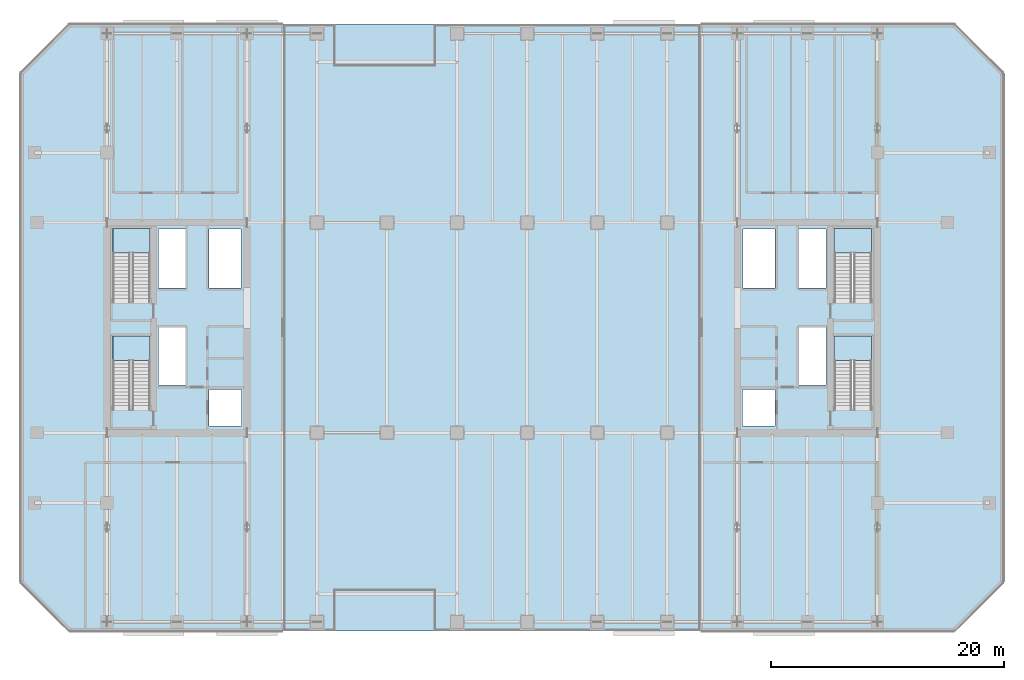
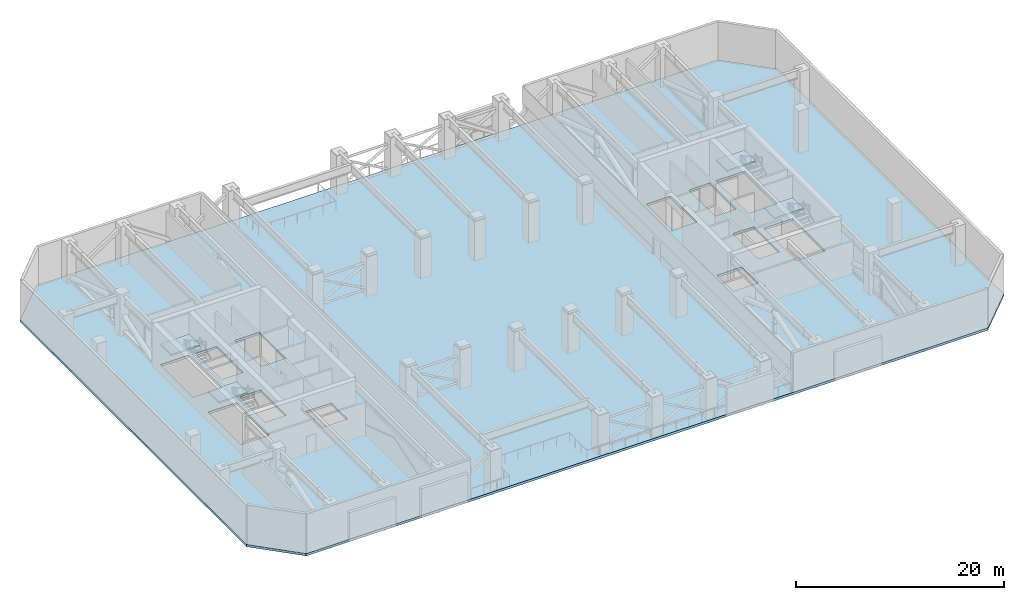
# One storey, part 7 of 22: 5 slabs, 4 elements without a shape of their own.
"""IFC4 building model written with IfcOpenShell, lengths in metres."""

import ifcopenshell
import ifcopenshell.guid

model = None  # the IFC model being written
_history = None  # IfcOwnerHistory: only IFC2X3 demands one
_inside = {}  # id of a spatial element -> (the spatial element, [elements in it])
_under = {}  # id of a project, library or spatial element -> (it, [spatial elements below it])
_declared = {}  # id of a project -> (the project, [libraries it declares])
_typed = {}  # id of a type object -> (the type object, [elements of that type])
_made_of = {}  # id of a material, layer set ... -> (it, [elements and type objects made of it])


def new_model(schema):
    """Start an empty IFC model of exactly this schema.

    Asked for "IFC4X3", IfcOpenShell would pick the latest addendum, in which some entities
    have other attributes; the version numbers below select the first issue.
    IFC2X3 requires an IfcOwnerHistory on every rooted entity: one is made here for all.
    """
    global model, _history
    if schema == "IFC4X3":
        model = ifcopenshell.file(schema_version=(4, 3, 0, 0))
    else:
        model = ifcopenshell.file(schema=schema)
    _inside.clear()
    _under.clear()
    _declared.clear()
    _typed.clear()
    _made_of.clear()
    _history = None
    if model.schema == "IFC2X3":
        org = make("IfcOrganization", Name="unknown")
        user = make(
            "IfcPersonAndOrganization",
            ThePerson=make("IfcPerson", FamilyName="unknown"),
            TheOrganization=org,
        )
        app = make(
            "IfcApplication",
            ApplicationDeveloper=org,
            Version="unknown",
            ApplicationFullName="unknown",
            ApplicationIdentifier="unknown",
        )
        _history = make(
            "IfcOwnerHistory",
            OwningUser=user,
            OwningApplication=app,
            ChangeAction="ADDED",
            CreationDate=0,
        )
    return model


def make(cls, **values):
    """One entity of the class cls with the attributes given. An attribute that is None is left unset."""
    return model.create_entity(
        cls, **{name: value for name, value in values.items() if value is not None}
    )


def rooted(cls, **values):
    """An entity with a GlobalId (a new one), such as an element, a storey or a relation."""
    return make(cls, GlobalId=ifcopenshell.guid.new(), OwnerHistory=_history, **values)


def si_unit(unit_type, name, prefix=None):
    """IfcSIUnit, for example si_unit("LENGTHUNIT", "METRE", prefix="MILLI")."""
    return make("IfcSIUnit", UnitType=unit_type, Prefix=prefix, Name=name)


def assignment(units):
    """IfcUnitAssignment: the units of a project."""
    return None if units is None else make("IfcUnitAssignment", Units=units)


def point(xyz):
    """IfcCartesianPoint."""
    return None if xyz is None else make("IfcCartesianPoint", Coordinates=xyz)


def direction(xyz):
    """IfcDirection."""
    return None if xyz is None else make("IfcDirection", DirectionRatios=xyz)


def frame(location, z_axis=None, x_axis=None):
    """IfcAxis2Placement3D, a coordinate frame: its origin and axes. An axis left out is left unset."""
    return make(
        "IfcAxis2Placement3D",
        Location=point(location),
        Axis=direction(z_axis),
        RefDirection=direction(x_axis),
    )


def origin():
    """The frame at (0, 0, 0) with its axes left unset."""
    return frame((0.0, 0.0, 0.0))


def place(relative_to, where):
    """IfcLocalPlacement: puts the frame where relative to a parent placement (None: the world)."""
    return make(
        "IfcLocalPlacement", PlacementRelTo=relative_to, RelativePlacement=where
    )


def context(
    kind, dimensions, precision=None, world=None, true_north=None, identifier=None
):
    """IfcGeometricRepresentationContext, for example the 3D "Model" context."""
    return make(
        "IfcGeometricRepresentationContext",
        ContextIdentifier=identifier,
        ContextType=kind,
        CoordinateSpaceDimension=dimensions,
        Precision=precision,
        WorldCoordinateSystem=world,
        TrueNorth=true_north,
    )


def subcontext(parent, identifier, kind, view, scale=None):
    """IfcGeometricRepresentationSubContext, for example "Body" below "Model"."""
    return make(
        "IfcGeometricRepresentationSubContext",
        ContextIdentifier=identifier,
        ContextType=kind,
        ParentContext=parent,
        TargetScale=scale,
        TargetView=view,
    )


def project(units=None, contexts=None):
    """IfcProject with its units and contexts."""
    return rooted(
        "IfcProject",
        Name="project",
        RepresentationContexts=contexts,
        UnitsInContext=assignment(units),
    )


def spatial(cls, under=None, at=None, **own):
    """A site, building, storey or space (cls), placed at a placement, below another one or the project."""
    s = rooted(cls, ObjectPlacement=at, **own)
    if under is not None:
        _under.setdefault(under.id(), (under, []))[1].append(s)
    return s


def polyline(points):
    """IfcPolyline through the points."""
    return make("IfcPolyline", Points=[point(p) for p in points])


def outline(outer, holes=None, kind="AREA"):
    """IfcArbitraryClosedProfileDef: a profile drawn as a closed curve; with holes, ...WithVoids."""
    if holes is None:
        return make("IfcArbitraryClosedProfileDef", ProfileType=kind, OuterCurve=outer)
    return make(
        "IfcArbitraryProfileDefWithVoids",
        ProfileType=kind,
        OuterCurve=outer,
        InnerCurves=holes,
    )


def extrude(swept, where, along, depth):
    """IfcExtrudedAreaSolid: the profile swept, set in the frame where, extruded along a direction by depth."""
    return make(
        "IfcExtrudedAreaSolid",
        SweptArea=swept,
        Position=where,
        ExtrudedDirection=direction(along),
        Depth=depth,
    )


def shape(context_of_items, identifier, shape_type, items):
    """IfcShapeRepresentation: the items that make up one representation, for example the "Body"."""
    return make(
        "IfcShapeRepresentation",
        ContextOfItems=context_of_items,
        RepresentationIdentifier=identifier,
        RepresentationType=shape_type,
        Items=items,
    )


def material(Name=None, Category=None):
    """IfcMaterial."""
    return make("IfcMaterial", Name=Name, Category=Category)


def layer(
    of_material, thickness, ventilated=None, Name=None, Category=None, Priority=None
):
    """IfcMaterialLayer: one layer of a wall or slab, of a material (None: an air gap)."""
    return make(
        "IfcMaterialLayer",
        Material=of_material,
        LayerThickness=thickness,
        IsVentilated=ventilated,
        Name=Name,
        Category=Category,
        Priority=Priority,
    )


def layer_set(layers, Name=None):
    """IfcMaterialLayerSet."""
    return make("IfcMaterialLayerSet", MaterialLayers=layers, LayerSetName=Name)


def made_of(thing, what):
    """Note that an element or type object is made of a material, layer set ...; save() writes the relation."""
    if what is not None:
        _made_of.setdefault(what.id(), (what, []))[1].append(thing)
    return thing


def type_object(cls, material=None, **own):
    """A type object (cls), such as IfcWallType, which elements share."""
    return made_of(rooted(cls, **own), material)


def element(
    cls,
    number,
    at=None,
    inside=None,
    cuts=None,
    type_object=None,
    material=None,
    context=None,
    identifier="Body",
    shape_type=None,
    held_by="IfcProductDefinitionShape",
    body=None,
    shapes=None,
    **own,
):
    """One element of the class cls, such as IfcWall. Its Tag is "e" and its number.

    at: its placement. inside: the storey or other place that contains it. cuts: it is an
    opening in that element (IfcRelVoidsElement). A single representation is given by context,
    identifier, shape_type and body (its items); several are given by shapes. held_by: the class
    of the entity that holds the representations. save() writes the other relations.
    """
    e = rooted(cls, Tag="e%d" % number, ObjectPlacement=at, **own)
    if body is not None:
        shapes = [shape(context, identifier, shape_type, body)]
    if shapes is not None:
        e.Representation = make(held_by, Representations=shapes)
    if inside is not None:
        _inside.setdefault(inside.id(), (inside, []))[1].append(e)
    if cuts is not None:
        rooted(
            "IfcRelVoidsElement", RelatingBuildingElement=cuts, RelatedOpeningElement=e
        )
    if type_object is not None:
        _typed.setdefault(type_object.id(), (type_object, []))[1].append(e)
    return made_of(e, material)


def aggregate(whole, parts):
    """IfcRelAggregates: a whole, such as a stair, and the parts it consists of."""
    return rooted("IfcRelAggregates", RelatingObject=whole, RelatedObjects=parts)


def save(model, path):
    """Write the relations noted so far, then the file.

    IfcRelAggregates (storeys below a building ...), IfcRelContainedInSpatialStructure (elements
    in a storey), IfcRelDefinesByType, IfcRelAssociatesMaterial and IfcRelDeclares: one each for
    every whole, place, type object, material and project.
    """
    for whole, parts in _under.values():
        aggregate(whole, parts)
    for where, things in _inside.values():
        rooted(
            "IfcRelContainedInSpatialStructure",
            RelatedElements=things,
            RelatingStructure=where,
        )
    for kind, things in _typed.values():
        rooted("IfcRelDefinesByType", RelatedObjects=things, RelatingType=kind)
    for what, things in _made_of.values():
        rooted("IfcRelAssociatesMaterial", RelatedObjects=things, RelatingMaterial=what)
    for by, libraries in _declared.values():
        rooted("IfcRelDeclares", RelatingContext=by, RelatedDefinitions=libraries)
    model.write(path)


model = new_model("IFC4")

# Units and contexts
model_context = context("Model", 3, precision=1e-05, world=origin(), true_north=direction((0.0, 1.0)))
body_context = subcontext(model_context, "Body", "Model", "MODEL_VIEW")
ifc_project = project(units=[si_unit("LENGTHUNIT", "METRE"), si_unit("AREAUNIT", "SQUARE_METRE"), si_unit("VOLUMEUNIT", "CUBIC_METRE"), si_unit("PLANEANGLEUNIT", "RADIAN"), si_unit("MASSUNIT", "GRAM", prefix="KILO")], contexts=[model_context])

# Site, building, storey
site_placement = place(None, origin())
site = spatial("IfcSite", under=ifc_project, at=site_placement, CompositionType="ELEMENT")
building_placement = place(site_placement, origin())
building = spatial("IfcBuilding", under=site, at=building_placement, Name="Tanjung Sevakor Pilgrim Tower", CompositionType="ELEMENT")
storey_placement = place(building_placement, frame((0.0, 0.0, 73.260009765625)))
storey = spatial("IfcBuildingStorey", under=building, at=storey_placement, Name="L20", CompositionType="ELEMENT", Elevation=73.260009765625)

# Stair, slab
ifc_material_1 = material(Name="Concrete C40/50", Category="concrete")
stair_type = type_object("IfcStairType", Name="STAIR-ST-CR150", PredefinedType="HALF_TURN_STAIR", material=ifc_material_1)
stair_1_placement = place(storey_placement, origin())
stair_1 = element("IfcStair", 1, at=stair_1_placement, inside=storey, type_object=stair_type, Name="L20 West Core Exit Stair 1", PredefinedType="HALF_TURN_STAIR")
ifc_material_2 = material(Name="Concrete C40/50", Category="concrete")
ifc_layer_1 = layer(ifc_material_2, 0.199951171875)
ifc_layer_set_1 = layer_set([ifc_layer_1], Name="SL-LAND-200")
slab_type_1 = type_object("IfcSlabType", Name="SL-LAND-200", PredefinedType="LANDING", material=ifc_layer_set_1)
slab_1_placement = place(storey_placement, frame((0.0, 0.0, 2.27490234375)))
slab_1 = element("IfcSlab", 2, at=slab_1_placement, type_object=slab_type_1, Name="TS-W1 landing 1", PredefinedType="LANDING", context=body_context, shape_type="SweptSolid", body=[
    extrude(outline(polyline([(27.699951171875, 30.800048828125), (27.699951171875, 32.89990234375), (24.5, 32.89990234375), (24.5, 30.800048828125), (27.699951171875, 30.800048828125)])), origin(), (0.0, 0.0, 1.0), 0.2001953125),
])
aggregate(stair_1, [slab_1])

stair_2_placement = place(storey_placement, origin())
stair_2 = element("IfcStair", 3, at=stair_2_placement, inside=storey, type_object=stair_type, Name="L20 West Core Exit Stair 2", PredefinedType="HALF_TURN_STAIR")
slab_2_placement = place(storey_placement, frame((0.0, 0.0, 2.27490234375)))
slab_2 = element("IfcSlab", 4, at=slab_2_placement, type_object=slab_type_1, Name="TS-W2 landing 1", PredefinedType="LANDING", context=body_context, shape_type="SweptSolid", body=[
    extrude(outline(polyline([(27.699951171875, 40.0), (27.699951171875, 42.10009765625), (24.5, 42.10009765625), (24.5, 40.0), (27.699951171875, 40.0)])), origin(), (0.0, 0.0, 1.0), 0.2001953125),
])
aggregate(stair_2, [slab_2])

stair_3_placement = place(storey_placement, origin())
stair_3 = element("IfcStair", 5, at=stair_3_placement, inside=storey, type_object=stair_type, Name="L20 East Core Exit Stair 1", PredefinedType="HALF_TURN_STAIR")
slab_3_placement = place(storey_placement, frame((0.0, 0.0, 2.27490234375)))
slab_3 = element("IfcSlab", 6, at=slab_3_placement, type_object=slab_type_1, Name="TS-E1 landing 1", PredefinedType="LANDING", context=body_context, shape_type="SweptSolid", body=[
    extrude(outline(polyline([(89.5, 30.800048828125), (89.5, 32.89990234375), (86.300048828125, 32.89990234375), (86.300048828125, 30.800048828125), (89.5, 30.800048828125)])), origin(), (0.0, 0.0, 1.0), 0.2001953125),
])
aggregate(stair_3, [slab_3])

stair_4_placement = place(storey_placement, origin())
stair_4 = element("IfcStair", 7, at=stair_4_placement, inside=storey, type_object=stair_type, Name="L20 East Core Exit Stair 2", PredefinedType="HALF_TURN_STAIR")
slab_4_placement = place(storey_placement, frame((0.0, 0.0, 2.27490234375)))
slab_4 = element("IfcSlab", 8, at=slab_4_placement, type_object=slab_type_1, Name="TS-E2 landing 1", PredefinedType="LANDING", context=body_context, shape_type="SweptSolid", body=[
    extrude(outline(polyline([(89.5, 40.0), (89.5, 42.10009765625), (86.300048828125, 42.10009765625), (86.300048828125, 40.0), (89.5, 40.0)])), origin(), (0.0, 0.0, 1.0), 0.2001953125),
])
aggregate(stair_4, [slab_4])

# Slab
ifc_material_3 = material(Name="Concrete C40/50", Category="concrete")
ifc_layer_2 = layer(ifc_material_3, 0.280029296875)
ifc_layer_set_2 = layer_set([ifc_layer_2], Name="SL-SKY-280")
slab_type_2 = type_object("IfcSlabType", Name="SL-SKY-280", PredefinedType="FLOOR", material=ifc_layer_set_2)
slab_5_placement = place(storey_placement, frame((0.0, 0.0, -0.280029296875)))
element("IfcSlab", 9, at=slab_5_placement, inside=storey, type_object=slab_type_2, Name="L20 Floor Slab MAIN", PredefinedType="FLOOR", context=body_context, shape_type="SweptSolid", body=[
    extrude(outline(polyline([(20.800048828125, 7.60009765625), (96.60009765625, 7.60009765625), (100.800048828125, 11.800048828125), (100.800048828125, 55.39990234375), (96.60009765625, 59.60009765625), (20.800048828125, 59.60009765625), (16.60009765625, 55.39990234375), (16.60009765625, 11.800048828125), (20.800048828125, 7.60009765625)]), holes=[polyline([(27.699951171875, 26.60009765625), (27.699951171875, 32.89990234375), (24.5, 32.89990234375), (24.5, 26.60009765625), (27.699951171875, 26.60009765625)]), polyline([(27.699951171875, 35.800048828125), (27.699951171875, 42.10009765625), (24.5, 42.10009765625), (24.5, 35.800048828125), (27.699951171875, 35.800048828125)]), polyline([(89.5, 26.60009765625), (89.5, 32.89990234375), (86.300048828125, 32.89990234375), (86.300048828125, 26.60009765625), (89.5, 26.60009765625)]), polyline([(89.5, 35.800048828125), (89.5, 42.10009765625), (86.300048828125, 42.10009765625), (86.300048828125, 35.800048828125), (89.5, 35.800048828125)]), polyline([(32.75, 25.199951171875), (35.550048828125, 25.199951171875), (35.550048828125, 28.300048828125), (32.75, 28.300048828125), (32.75, 25.199951171875)]), polyline([(28.39990234375, 28.699951171875), (30.75, 28.699951171875), (30.75, 33.60009765625), (28.39990234375, 33.60009765625), (28.39990234375, 28.699951171875)]), polyline([(28.39990234375, 37.0), (30.75, 37.0), (30.75, 42.050048828125), (28.39990234375, 42.050048828125), (28.39990234375, 37.0)]), polyline([(32.75, 37.0), (35.5, 37.0), (35.5, 42.050048828125), (32.75, 42.050048828125), (32.75, 37.0)]), polyline([(78.449951171875, 25.199951171875), (81.25, 25.199951171875), (81.25, 28.300048828125), (78.449951171875, 28.300048828125), (78.449951171875, 25.199951171875)]), polyline([(83.25, 28.699951171875), (85.60009765625, 28.699951171875), (85.60009765625, 33.60009765625), (83.25, 33.60009765625), (83.25, 28.699951171875)]), polyline([(83.25, 37.0), (85.60009765625, 37.0), (85.60009765625, 42.050048828125), (83.25, 42.050048828125), (83.25, 37.0)]), polyline([(78.5, 37.0), (81.25, 37.0), (81.25, 42.050048828125), (78.5, 42.050048828125), (78.5, 37.0)])]), origin(), (0.0, 0.0, 1.0), 0.280029296875),
])

save(model, "model.ifc")
